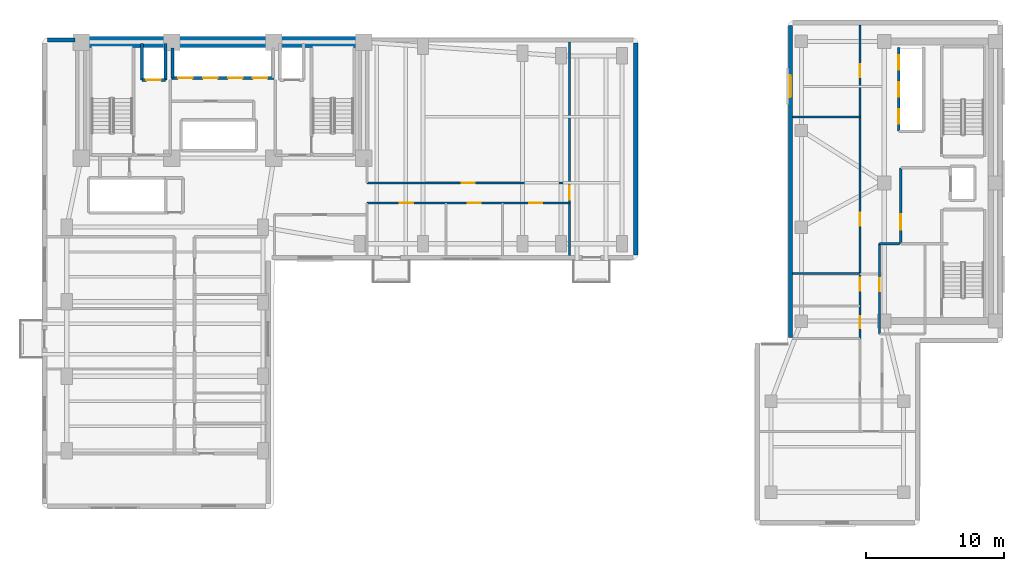
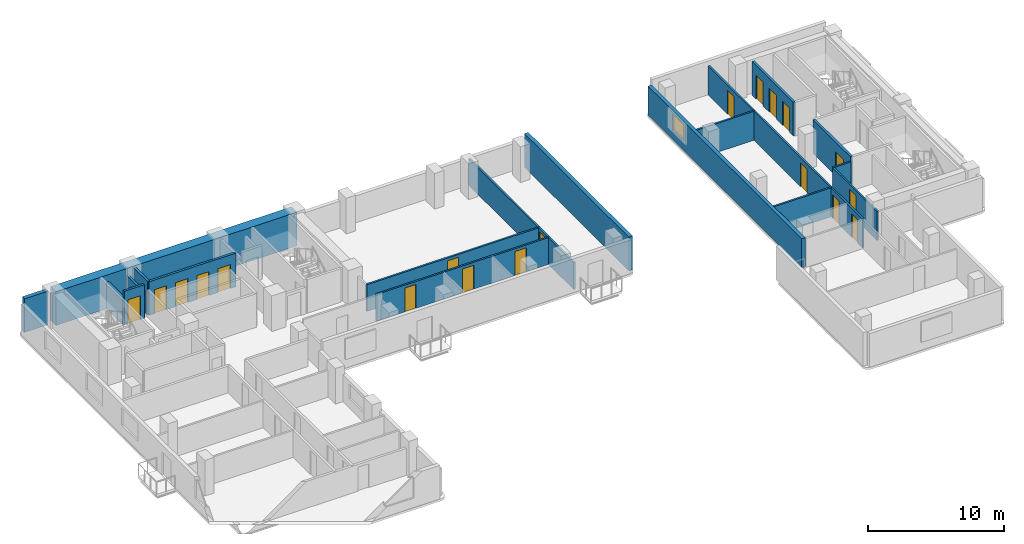
# One storey, part 10 of 14: 19 doors, 19 walls, 1 window, 20 openings.
"""IFC4 building model written with IfcOpenShell, lengths in metres."""

from ifc_helpers import new_model, si_unit, direction, frame, frame_2d, origin, place, context, subcontext, project, spatial, rectangle, extrude, material, layer, layer_set, type_object, element, fill, save


model = new_model("IFC4")

# Units and contexts
model_context = context("Model", 3, precision=1e-05, world=origin(), true_north=direction((0.0, 1.0)))
body_context = subcontext(model_context, "Body", "Model", "MODEL_VIEW")
ifc_project = project(units=[si_unit("LENGTHUNIT", "METRE"), si_unit("AREAUNIT", "SQUARE_METRE"), si_unit("VOLUMEUNIT", "CUBIC_METRE"), si_unit("PLANEANGLEUNIT", "RADIAN"), si_unit("MASSUNIT", "GRAM", prefix="KILO")], contexts=[model_context])

# Site, building, storey
site_placement = place(None, origin())
site = spatial("IfcSite", under=ifc_project, at=site_placement, CompositionType="ELEMENT")
building_placement = place(site_placement, origin())
building = spatial("IfcBuilding", under=site, at=building_placement, Name="Kuzgunbayir Cultural Tower", CompositionType="ELEMENT")
storey_placement = place(building_placement, frame((0.0, 0.0, 69.199951171875)))
storey = spatial("IfcBuildingStorey", under=building, at=storey_placement, Name="L19", CompositionType="ELEMENT", Elevation=69.199951171875)

# Wall
ifc_material_1 = material(Name="Concrete C60/75", Category="concrete")
ifc_layer_1 = layer(ifc_material_1, 0.800048828125)
ifc_layer_set_1 = layer_set([ifc_layer_1], Name="Concrete C60/75")
wall_type_1 = type_object("IfcWallType", Name="WAL-CORE-800", PredefinedType="SHEAR", material=ifc_layer_set_1)
wall_1_placement = place(storey_placement, frame((6.449951171875, 42.199951171875, 0.0), z_axis=(0.0, 0.0, 1.0), x_axis=(1.0, 0.0, 0.0)))
element("IfcWall", 1, at=wall_1_placement, inside=storey, type_object=wall_type_1, Name="L19 T1 Core North Shear Wall", PredefinedType="SHEAR", context=body_context, shape_type="SweptSolid", body=[
    extrude(rectangle(XDim=20.449951171875, YDim=0.800048828125, at=frame_2d((10.22509765625, 0.0))), origin(), (0.0, 0.0, 1.0), 3.02001953125),
])

# Wall, opening, window
ifc_material_2 = material(Name="Anatolian Cream Limestone", Category="masonry")
ifc_layer_2 = layer(ifc_material_2, 0.300048828125)
ifc_layer_set_2 = layer_set([ifc_layer_2], Name="Anatolian Cream Limestone")
wall_type_2 = type_object("IfcWallType", Name="WAL-EXT-STONE-300", PredefinedType="STANDARD", material=ifc_layer_set_2)
wall_2_placement = place(storey_placement, frame((57.800048828125, 43.39990234375, 0.0), z_axis=(0.0, 0.0, 1.0), x_axis=(0.0, -1.0, 0.0)))
wall_2 = element("IfcWall", 2, at=wall_2_placement, inside=storey, type_object=wall_type_2, Name="L19 Companion West Limestone Wall", PredefinedType="STANDARD", context=body_context, shape_type="SweptSolid", body=[
    extrude(rectangle(XDim=22.599853515625, YDim=0.300048828125, at=frame_2d((11.2998046875, 0.0))), origin(), (0.0, 0.0, 1.0), 2.60009765625),
])
opening_1_placement = place(wall_2_placement, frame((3.60009765625, 0.0, 0.85009765625)))
opening_1 = element("IfcOpeningElement", 3, at=opening_1_placement, cuts=wall_2, Name="Opening WC-16", PredefinedType="OPENING", context=body_context, shape_type="SweptSolid", body=[
    extrude(rectangle(XDim=1.60009765625, YDim=1.449951171875, at=frame_2d((0.800048828125, 0.72509765625))), frame((0.0, 0.16015625, 0.0), z_axis=(0.0, -1.0, 0.0), x_axis=(1.0, 0.0, 0.0)), (0.0, 0.0, 1.0), 0.320068359375),
])
ifc_material_3 = material(Name="Solar-Control Triple Glazing", Category="glass")
window_type = type_object("IfcWindowType", Name="WIN-COMP-16", PartitioningType="SINGLE_PANEL", PredefinedType="WINDOW", material=ifc_material_3)
window_placement = place(opening_1_placement, origin())
window = element("IfcWindow", 4, at=window_placement, inside=storey, type_object=window_type, Name="L19 Companion West Window 39", OverallHeight=1.449951171875, OverallWidth=1.60009765625, PartitioningType="SINGLE_PANEL", PredefinedType="WINDOW", context=body_context, shape_type="SweptSolid", body=[
    extrude(rectangle(XDim=1.60009765625, YDim=1.449951171875, at=frame_2d((0.800048828125, 0.72509765625))), frame((0.0, 0.030029296875, 0.0), z_axis=(0.0, -1.0, 0.0), x_axis=(1.0, 0.0, 0.0)), (0.0, 0.0, 1.0), 0.06005859375),
])
fill(opening_1, window)

# Walls
ifc_material_4 = material(Name="Travertine Buff Ashlar", Category="masonry")
ifc_layer_3 = layer(ifc_material_4, 0.320068359375)
ifc_layer_set_3 = layer_set([ifc_layer_3], Name="Travertine Buff Ashlar")
wall_type_3 = type_object("IfcWallType", Name="WAL-EXT-STONE-320", PredefinedType="STANDARD", material=ifc_layer_set_3)
wall_3_placement = place(storey_placement, frame((6.0, 42.35009765625, 0.0), z_axis=(0.0, 0.0, 1.0), x_axis=(-1.0, 0.0, 0.0)))
element("IfcWall", 5, at=wall_3_placement, inside=storey, type_object=wall_type_3, Name="L19 Core North-West Spandrel Link", PredefinedType="STANDARD", context=body_context, shape_type="SweptSolid", body=[
    extrude(rectangle(XDim=2.0, YDim=0.320068359375, at=frame_2d((1.0, 0.0))), origin(), (0.0, 0.0, 1.0), 3.02001953125),
])
wall_4_placement = place(storey_placement, frame((46.60009765625, 26.800048828125, 0.0), z_axis=(0.0, 0.0, 1.0), x_axis=(0.0, 1.0, 0.0)))
element("IfcWall", 6, at=wall_4_placement, inside=storey, type_object=wall_type_3, Name="L19 Wing B East Limestone Wall", PredefinedType="STANDARD", context=body_context, shape_type="SweptSolid", body=[
    extrude(rectangle(XDim=15.349853515625, YDim=0.320068359375, at=frame_2d((7.6748046875, 0.0))), origin(), (0.0, 0.0, 1.0), 3.02001953125),
])

# Wall, openings, doors
ifc_material_5 = material(Name="Acoustic Double-Stud Drywall", Category="gypsum")
ifc_layer_4 = layer(ifc_material_5, 0.14990234375)
ifc_layer_set_4 = layer_set([ifc_layer_4], Name="Acoustic Double-Stud Drywall")
wall_type_4 = type_object("IfcWallType", Name="WAL-PART-ACOUSTIC-150", PredefinedType="PARTITIONING", material=ifc_layer_set_4)
wall_5_placement = place(storey_placement, frame((27.14990234375, 30.550048828125, 0.0), z_axis=(0.0, 0.0, 1.0), x_axis=(1.0, 0.0, 0.0)))
wall_5 = element("IfcWall", 7, at=wall_5_placement, inside=storey, type_object=wall_type_4, Name="L19 Wing B Corridor South Wall", PredefinedType="PARTITIONING", context=body_context, shape_type="SweptSolid", body=[
    extrude(rectangle(XDim=14.650146484375, YDim=0.14990234375, at=frame_2d((7.3251953125, 0.0))), origin(), (0.0, 0.0, 1.0), 2.41015625),
])
opening_2_placement = place(wall_5_placement, frame((2.3798828125, 0.0, 0.0)))
opening_2 = element("IfcOpeningElement", 8, at=opening_2_placement, cuts=wall_5, Name="Opening DI-90", PredefinedType="OPENING", context=body_context, shape_type="SweptSolid", body=[
    extrude(rectangle(XDim=0.949951171875, YDim=2.14990234375, at=frame_2d((0.47509765625, 1.074951171875))), frame((0.0, 0.0849609375, 0.0), z_axis=(0.0, -1.0, 0.0), x_axis=(1.0, 0.0, 0.0)), (0.0, 0.0, 1.0), 0.169921875),
])
opening_3_placement = place(wall_5_placement, frame((7.2900390625, 0.0, 0.0)))
opening_3 = element("IfcOpeningElement", 9, at=opening_3_placement, cuts=wall_5, Name="Opening DI-90", PredefinedType="OPENING", context=body_context, shape_type="SweptSolid", body=[
    extrude(rectangle(XDim=0.949951171875, YDim=2.14990234375, at=frame_2d((0.47509765625, 1.074951171875))), frame((0.0, 0.0849609375, 0.0), z_axis=(0.0, -1.0, 0.0), x_axis=(1.0, 0.0, 0.0)), (0.0, 0.0, 1.0), 0.169921875),
])
opening_4_placement = place(wall_5_placement, frame((11.75, 0.0, 0.0)))
opening_4 = element("IfcOpeningElement", 10, at=opening_4_placement, cuts=wall_5, Name="Opening DI-90", PredefinedType="OPENING", context=body_context, shape_type="SweptSolid", body=[
    extrude(rectangle(XDim=0.949951171875, YDim=2.14990234375, at=frame_2d((0.47509765625, 1.074951171875))), frame((0.0, 0.0849609375, 0.0), z_axis=(0.0, -1.0, 0.0), x_axis=(1.0, 0.0, 0.0)), (0.0, 0.0, 1.0), 0.169921875),
])
ifc_material_6 = material(Name="Veneered Oak Single Leaf", Category="wood")
door_type_1 = type_object("IfcDoorType", Name="DR-INT-90", OperationType="NOTDEFINED", PredefinedType="DOOR", material=ifc_material_6)
door_1_placement = place(opening_2_placement, origin())
door_1 = element("IfcDoor", 11, at=door_1_placement, inside=storey, type_object=door_type_1, Name="L19 Wing B Seminar Boardroom 1 Door", OperationType="SINGLE_SWING_LEFT", OverallHeight=2.14990234375, OverallWidth=0.949951171875, PredefinedType="DOOR", context=body_context, shape_type="SweptSolid", body=[
    extrude(rectangle(XDim=0.949951171875, YDim=2.14990234375, at=frame_2d((0.47509765625, 1.074951171875))), frame((0.0, 0.02490234375, 0.0), z_axis=(0.0, -1.0, 0.0), x_axis=(1.0, 0.0, 0.0)), (0.0, 0.0, 1.0), 0.050048828125),
])
fill(opening_2, door_1)
door_2_placement = place(opening_3_placement, origin())
door_2 = element("IfcDoor", 12, at=door_2_placement, inside=storey, type_object=door_type_1, Name="L19 Wing B Curatorial Office 2 Door", OperationType="SINGLE_SWING_RIGHT", OverallHeight=2.14990234375, OverallWidth=0.949951171875, PredefinedType="DOOR", context=body_context, shape_type="SweptSolid", body=[
    extrude(rectangle(XDim=0.949951171875, YDim=2.14990234375, at=frame_2d((0.47509765625, 1.074951171875))), frame((0.0, 0.02490234375, 0.0), z_axis=(0.0, -1.0, 0.0), x_axis=(1.0, 0.0, 0.0)), (0.0, 0.0, 1.0), 0.050048828125),
])
fill(opening_3, door_2)
door_3_placement = place(opening_4_placement, origin())
door_3 = element("IfcDoor", 13, at=door_3_placement, inside=storey, type_object=door_type_1, Name="L19 Wing B Seminar Boardroom 3 Door", OperationType="SINGLE_SWING_LEFT", OverallHeight=2.14990234375, OverallWidth=0.949951171875, PredefinedType="DOOR", context=body_context, shape_type="SweptSolid", body=[
    extrude(rectangle(XDim=0.949951171875, YDim=2.14990234375, at=frame_2d((0.47509765625, 1.074951171875))), frame((0.0, 0.02490234375, 0.0), z_axis=(0.0, -1.0, 0.0), x_axis=(1.0, 0.0, 0.0)), (0.0, 0.0, 1.0), 0.050048828125),
])
fill(opening_4, door_3)

# Wall, opening, door
wall_6_placement = place(storey_placement, frame((27.14990234375, 32.0, 0.0), z_axis=(0.0, 0.0, 1.0), x_axis=(1.0, 0.0, 0.0)))
wall_6 = element("IfcWall", 14, at=wall_6_placement, inside=storey, type_object=wall_type_4, Name="L19 Wing B Corridor North Wall", PredefinedType="PARTITIONING", context=body_context, shape_type="SweptSolid", body=[
    extrude(rectangle(XDim=14.650146484375, YDim=0.14990234375, at=frame_2d((7.3251953125, 0.0))), origin(), (0.0, 0.0, 1.0), 2.41015625),
])
opening_5_placement = place(wall_6_placement, frame((6.840087890625, 0.0, 0.0)))
opening_5 = element("IfcOpeningElement", 15, at=opening_5_placement, cuts=wall_6, Name="Opening DI-90", PredefinedType="OPENING", context=body_context, shape_type="SweptSolid", body=[
    extrude(rectangle(XDim=0.949951171875, YDim=2.14990234375, at=frame_2d((0.47509765625, 1.074951171875))), frame((0.0, 0.0849609375, 0.0), z_axis=(0.0, -1.0, 0.0), x_axis=(1.0, 0.0, 0.0)), (0.0, 0.0, 1.0), 0.169921875),
])
door_4_placement = place(opening_5_placement, origin())
door_4 = element("IfcDoor", 16, at=door_4_placement, inside=storey, type_object=door_type_1, Name="L19 Wing B North Seminar Boardroom 1 Door", OperationType="SINGLE_SWING_RIGHT", OverallHeight=2.14990234375, OverallWidth=0.949951171875, PredefinedType="DOOR", context=body_context, shape_type="SweptSolid", body=[
    extrude(rectangle(XDim=0.949951171875, YDim=2.14990234375, at=frame_2d((0.47509765625, 1.074951171875))), frame((0.0, 0.02490234375, 0.0), z_axis=(0.0, -1.0, 0.0), x_axis=(1.0, 0.0, 0.0)), (0.0, 0.0, 1.0), 0.050048828125),
])
fill(opening_5, door_4)

wall_7_placement = place(storey_placement, frame((41.800048828125, 26.75, 0.0), z_axis=(0.0, 0.0, 1.0), x_axis=(0.0, 1.0, 0.0)))
wall_7 = element("IfcWall", 17, at=wall_7_placement, inside=storey, type_object=wall_type_4, Name="L19 Wing B East Suite Wall", PredefinedType="PARTITIONING", context=body_context, shape_type="SweptSolid", body=[
    extrude(rectangle(XDim=15.449951171875, YDim=0.14990234375, at=frame_2d((7.72509765625, 0.0))), origin(), (0.0, 0.0, 1.0), 2.41015625),
])
opening_6_placement = place(wall_7_placement, frame((4.030029296875, 0.0, 0.0)))
opening_6 = element("IfcOpeningElement", 18, at=opening_6_placement, cuts=wall_7, Name="Opening DI-100", PredefinedType="OPENING", context=body_context, shape_type="SweptSolid", body=[
    extrude(rectangle(XDim=1.0, YDim=2.14990234375, at=frame_2d((0.5, 1.074951171875))), frame((0.0, 0.0849609375, 0.0), z_axis=(0.0, -1.0, 0.0), x_axis=(1.0, 0.0, 0.0)), (0.0, 0.0, 1.0), 0.169921875),
])
door_type_2 = type_object("IfcDoorType", Name="DR-INT-100", OperationType="NOTDEFINED", PredefinedType="DOOR", material=ifc_material_6)
door_5_placement = place(opening_6_placement, origin())
door_5 = element("IfcDoor", 19, at=door_5_placement, inside=storey, type_object=door_type_2, Name="L19 East Conference Hall Door", OperationType="SINGLE_SWING_RIGHT", OverallHeight=2.14990234375, OverallWidth=1.0, PredefinedType="DOOR", context=body_context, shape_type="SweptSolid", body=[
    extrude(rectangle(XDim=1.0, YDim=2.14990234375, at=frame_2d((0.5, 1.074951171875))), frame((0.0, 0.02490234375, 0.0), z_axis=(0.0, -1.0, 0.0), x_axis=(1.0, 0.0, 0.0)), (0.0, 0.0, 1.0), 0.050048828125),
])
fill(opening_6, door_5)

wall_8_placement = place(storey_placement, frame((64.25, 21.050048828125, 0.0), z_axis=(0.0, 0.0, 1.0), x_axis=(0.0, 1.0, 0.0)))
wall_8 = element("IfcWall", 20, at=wall_8_placement, inside=storey, type_object=wall_type_4, Name="L19 Companion Archive West Wall", PredefinedType="PARTITIONING", context=body_context, shape_type="SweptSolid", body=[
    extrude(rectangle(XDim=6.550048828125, YDim=0.14990234375, at=frame_2d((3.27490234375, 0.0))), origin(), (0.0, 0.0, 1.0), 2.60009765625),
])
opening_7_placement = place(wall_8_placement, frame((3.10009765625, 0.0, 0.0)))
opening_7 = element("IfcOpeningElement", 21, at=opening_7_placement, cuts=wall_8, Name="Opening DI-90", PredefinedType="OPENING", context=body_context, shape_type="SweptSolid", body=[
    extrude(rectangle(XDim=0.949951171875, YDim=2.14990234375, at=frame_2d((0.47509765625, 1.074951171875))), frame((0.0, 0.0849609375, 0.0), z_axis=(0.0, -1.0, 0.0), x_axis=(1.0, 0.0, 0.0)), (0.0, 0.0, 1.0), 0.169921875),
])
door_6_placement = place(opening_7_placement, origin())
door_6 = element("IfcDoor", 22, at=door_6_placement, inside=storey, type_object=door_type_1, Name="L19 Companion Archive Door", OperationType="SINGLE_SWING_LEFT", OverallHeight=2.14990234375, OverallWidth=0.949951171875, PredefinedType="DOOR", context=body_context, shape_type="SweptSolid", body=[
    extrude(rectangle(XDim=0.949951171875, YDim=2.14990234375, at=frame_2d((0.47509765625, 1.074951171875))), frame((0.0, 0.02490234375, 0.0), z_axis=(0.0, -1.0, 0.0), x_axis=(1.0, 0.0, 0.0)), (0.0, 0.0, 1.0), 0.050048828125),
])
fill(opening_7, door_6)

# Wall
wall_9_placement = place(storey_placement, frame((64.25, 27.60009765625, 0.0), z_axis=(0.0, 0.0, 1.0), x_axis=(1.0, 0.0, 0.0)))
element("IfcWall", 23, at=wall_9_placement, inside=storey, type_object=wall_type_4, Name="L19 Companion Archive North Wall", PredefinedType="PARTITIONING", context=body_context, shape_type="SweptSolid", body=[
    extrude(rectangle(XDim=1.469970703125, YDim=0.14990234375, at=frame_2d((0.73486328125, 0.0))), origin(), (0.0, 0.0, 1.0), 2.60009765625),
])

# Wall, openings, doors
wall_10_placement = place(storey_placement, frame((62.85009765625, 20.75, 0.0), z_axis=(0.0, 0.0, 1.0), x_axis=(0.0, 1.0, 0.0)))
wall_10 = element("IfcWall", 24, at=wall_10_placement, inside=storey, type_object=wall_type_4, Name="L19 Companion Corridor West Wall", PredefinedType="PARTITIONING", context=body_context, shape_type="SweptSolid", body=[
    extrude(rectangle(XDim=22.699951171875, YDim=0.14990234375, at=frame_2d((11.35009765625, 0.0))), origin(), (0.0, 0.0, 1.0), 2.60009765625),
])
opening_8_placement = place(wall_10_placement, frame((0.72998046875, 0.0, 0.0)))
opening_8 = element("IfcOpeningElement", 25, at=opening_8_placement, cuts=wall_10, Name="Opening DW-85", PredefinedType="OPENING", context=body_context, shape_type="SweptSolid", body=[
    extrude(rectangle(XDim=0.85009765625, YDim=2.10009765625, at=frame_2d((0.425048828125, 1.050048828125))), frame((0.0, 0.0849609375, 0.0), z_axis=(0.0, -1.0, 0.0), x_axis=(1.0, 0.0, 0.0)), (0.0, 0.0, 1.0), 0.169921875),
])
opening_9_placement = place(wall_10_placement, frame((3.429931640625, 0.0, 0.0)))
opening_9 = element("IfcOpeningElement", 26, at=opening_9_placement, cuts=wall_10, Name="Opening DW-95", PredefinedType="OPENING", context=body_context, shape_type="SweptSolid", body=[
    extrude(rectangle(XDim=0.949951171875, YDim=2.10009765625, at=frame_2d((0.47509765625, 1.050048828125))), frame((0.0, 0.0849609375, 0.0), z_axis=(0.0, -1.0, 0.0), x_axis=(1.0, 0.0, 0.0)), (0.0, 0.0, 1.0), 0.169921875),
])
opening_10_placement = place(wall_10_placement, frame((8.14990234375, 0.0, 0.0)))
opening_10 = element("IfcOpeningElement", 27, at=opening_10_placement, cuts=wall_10, Name="Opening DI-90", PredefinedType="OPENING", context=body_context, shape_type="SweptSolid", body=[
    extrude(rectangle(XDim=0.949951171875, YDim=2.14990234375, at=frame_2d((0.47509765625, 1.074951171875))), frame((0.0, 0.0849609375, 0.0), z_axis=(0.0, -1.0, 0.0), x_axis=(1.0, 0.0, 0.0)), (0.0, 0.0, 1.0), 0.169921875),
])
opening_11_placement = place(wall_10_placement, frame((18.889892578125, 0.0, 0.0)))
opening_11 = element("IfcOpeningElement", 28, at=opening_11_placement, cuts=wall_10, Name="Opening DI-90", PredefinedType="OPENING", context=body_context, shape_type="SweptSolid", body=[
    extrude(rectangle(XDim=0.949951171875, YDim=2.14990234375, at=frame_2d((0.47509765625, 1.074951171875))), frame((0.0, 0.0849609375, 0.0), z_axis=(0.0, -1.0, 0.0), x_axis=(1.0, 0.0, 0.0)), (0.0, 0.0, 1.0), 0.169921875),
])
door_7_placement = place(opening_10_placement, origin())
door_7 = element("IfcDoor", 29, at=door_7_placement, inside=storey, type_object=door_type_1, Name="L19 Companion Seminar Boardroom 1 Door", OperationType="SINGLE_SWING_RIGHT", OverallHeight=2.14990234375, OverallWidth=0.949951171875, PredefinedType="DOOR", context=body_context, shape_type="SweptSolid", body=[
    extrude(rectangle(XDim=0.949951171875, YDim=2.14990234375, at=frame_2d((0.47509765625, 1.074951171875))), frame((0.0, 0.02490234375, 0.0), z_axis=(0.0, -1.0, 0.0), x_axis=(1.0, 0.0, 0.0)), (0.0, 0.0, 1.0), 0.050048828125),
])
fill(opening_10, door_7)
door_8_placement = place(opening_11_placement, origin())
door_8 = element("IfcDoor", 30, at=door_8_placement, inside=storey, type_object=door_type_1, Name="L19 Companion Culinary Tasting Pantry 2 Door", OperationType="SINGLE_SWING_LEFT", OverallHeight=2.14990234375, OverallWidth=0.949951171875, PredefinedType="DOOR", context=body_context, shape_type="SweptSolid", body=[
    extrude(rectangle(XDim=0.949951171875, YDim=2.14990234375, at=frame_2d((0.47509765625, 1.074951171875))), frame((0.0, 0.02490234375, 0.0), z_axis=(0.0, -1.0, 0.0), x_axis=(1.0, 0.0, 0.0)), (0.0, 0.0, 1.0), 0.050048828125),
])
fill(opening_11, door_8)
ifc_material_7 = material(Name="Laminate Moisture-Resistant Leaf", Category="wood")
door_type_3 = type_object("IfcDoorType", Name="DR-WET-85", OperationType="NOTDEFINED", PredefinedType="DOOR", material=ifc_material_7)
door_9_placement = place(opening_8_placement, origin())
door_9 = element("IfcDoor", 31, at=door_9_placement, inside=storey, type_object=door_type_3, Name="L19 Companion WC Door", OperationType="SINGLE_SWING_RIGHT", OverallHeight=2.10009765625, OverallWidth=0.85009765625, PredefinedType="DOOR", context=body_context, shape_type="SweptSolid", body=[
    extrude(rectangle(XDim=0.85009765625, YDim=2.10009765625, at=frame_2d((0.425048828125, 1.050048828125))), frame((0.0, 0.02490234375, 0.0), z_axis=(0.0, -1.0, 0.0), x_axis=(1.0, 0.0, 0.0)), (0.0, 0.0, 1.0), 0.050048828125),
])
fill(opening_8, door_9)
door_type_4 = type_object("IfcDoorType", Name="DR-WET-95", OperationType="NOTDEFINED", PredefinedType="DOOR", material=ifc_material_7)
door_10_placement = place(opening_9_placement, origin())
door_10 = element("IfcDoor", 32, at=door_10_placement, inside=storey, type_object=door_type_4, Name="L19 Companion Accessible WC Door", OperationType="SINGLE_SWING_LEFT", OverallHeight=2.10009765625, OverallWidth=0.949951171875, PredefinedType="DOOR", context=body_context, shape_type="SweptSolid", body=[
    extrude(rectangle(XDim=0.949951171875, YDim=2.10009765625, at=frame_2d((0.47509765625, 1.050048828125))), frame((0.0, 0.02490234375, 0.0), z_axis=(0.0, -1.0, 0.0), x_axis=(1.0, 0.0, 0.0)), (0.0, 0.0, 1.0), 0.050048828125),
])
fill(opening_9, door_10)

# Wall
wall_11_placement = place(storey_placement, frame((57.949951171875, 36.7900390625, 0.0), z_axis=(0.0, 0.0, 1.0), x_axis=(1.0, 0.0, 0.0)))
element("IfcWall", 33, at=wall_11_placement, inside=storey, type_object=wall_type_4, Name="L19 Companion Studio Partition 1", PredefinedType="PARTITIONING", context=body_context, shape_type="SweptSolid", body=[
    extrude(rectangle(XDim=4.900146484375, YDim=0.14990234375, at=frame_2d((2.4501953125, 0.0))), origin(), (0.0, 0.0, 1.0), 2.60009765625),
])

# Wall, opening, door
ifc_material_8 = material(Name="Aerated Concrete Blockwork", Category="masonry")
ifc_layer_5 = layer(ifc_material_8, 0.199951171875)
ifc_layer_set_5 = layer_set([ifc_layer_5], Name="Aerated Concrete Blockwork")
wall_type_5 = type_object("IfcWallType", Name="WAL-PART-FIRE-200", PredefinedType="PARTITIONING", material=ifc_layer_set_5)
wall_12_placement = place(storey_placement, frame((65.800048828125, 27.60009765625, 0.0), z_axis=(0.0, 0.0, 1.0), x_axis=(0.0, 1.0, 0.0)))
wall_12 = element("IfcWall", 34, at=wall_12_placement, inside=storey, type_object=wall_type_5, Name="L19 FFL-3 Lobby West Fire Wall", PredefinedType="PARTITIONING", context=body_context, shape_type="SweptSolid", body=[
    extrude(rectangle(XDim=5.5, YDim=0.199951171875, at=frame_2d((2.75, 0.0))), origin(), (0.0, 0.0, 1.0), 3.02001953125),
])
opening_12_placement = place(wall_12_placement, frame((1.0, 0.0, 0.0)))
opening_12 = element("IfcOpeningElement", 35, at=opening_12_placement, cuts=wall_12, Name="Opening DR-FFL-90", PredefinedType="OPENING", context=body_context, shape_type="SweptSolid", body=[
    extrude(rectangle(XDim=1.14990234375, YDim=2.14990234375, at=frame_2d((0.574951171875, 1.074951171875))), frame((0.0, 0.10986328125, 0.0), z_axis=(0.0, -1.0, 0.0), x_axis=(1.0, 0.0, 0.0)), (0.0, 0.0, 1.0), 0.219970703125),
])
ifc_material_9 = material(Name="Steel S355J2", Category="steel")
door_type_5 = type_object("IfcDoorType", Name="DR-FFL-90", OperationType="NOTDEFINED", PredefinedType="DOOR", material=ifc_material_9)
door_11_placement = place(opening_12_placement, origin())
door_11 = element("IfcDoor", 36, at=door_11_placement, inside=storey, type_object=door_type_5, Name="L19 Firefighting Lobby 3 Door", OperationType="SINGLE_SWING_RIGHT", OverallHeight=2.14990234375, OverallWidth=1.14990234375, PredefinedType="DOOR", context=body_context, shape_type="SweptSolid", body=[
    extrude(rectangle(XDim=1.14990234375, YDim=2.14990234375, at=frame_2d((0.574951171875, 1.074951171875))), frame((0.0, 0.02490234375, 0.0), z_axis=(0.0, -1.0, 0.0), x_axis=(1.0, 0.0, 0.0)), (0.0, 0.0, 1.0), 0.050048828125),
])
fill(opening_12, door_11)

# Wall
ifc_material_10 = material(Name="Moisture-Resistant Tile Partition", Category="gypsum")
ifc_layer_6 = layer(ifc_material_10, 0.14990234375)
ifc_layer_set_6 = layer_set([ifc_layer_6], Name="Moisture-Resistant Tile Partition")
wall_type_6 = type_object("IfcWallType", Name="WAL-PART-WET-150", PredefinedType="PARTITIONING", material=ifc_layer_set_6)
wall_13_placement = place(storey_placement, frame((57.949951171875, 25.449951171875, 0.0), z_axis=(0.0, 0.0, 1.0), x_axis=(1.0, 0.0, 0.0)))
element("IfcWall", 37, at=wall_13_placement, inside=storey, type_object=wall_type_6, Name="L19 Companion Accessible WC Wall", PredefinedType="PARTITIONING", context=body_context, shape_type="SweptSolid", body=[
    extrude(rectangle(XDim=4.900146484375, YDim=0.14990234375, at=frame_2d((2.4501953125, 0.0))), origin(), (0.0, 0.0, 1.0), 2.60009765625),
])

# Wall, opening, door
ifc_material_11 = material(Name="Concrete C40/50", Category="concrete")
ifc_layer_7 = layer(ifc_material_11, 0.199951171875)
ifc_layer_set_7 = layer_set([ifc_layer_7], Name="Concrete C40/50")
wall_type_7 = type_object("IfcWallType", Name="WAL-SHAFT-200", PredefinedType="MOVABLE", material=ifc_layer_set_7)
wall_14_placement = place(storey_placement, frame((10.85009765625, 39.449951171875, 0.0), z_axis=(0.0, 0.0, 1.0), x_axis=(1.0, 0.0, 0.0)))
wall_14 = element("IfcWall", 38, at=wall_14_placement, inside=storey, type_object=wall_type_7, Name="L19 FFL-1 Lift Front Wall", PredefinedType="MOVABLE", context=body_context, shape_type="SweptSolid", body=[
    extrude(rectangle(XDim=1.699951171875, YDim=0.199951171875, at=frame_2d((0.85009765625, 0.0))), origin(), (0.0, 0.0, 1.0), 3.02001953125),
])
opening_13_placement = place(wall_14_placement, frame((0.320068359375, 0.0, 0.0)))
opening_13 = element("IfcOpeningElement", 39, at=opening_13_placement, cuts=wall_14, Name="Opening LD", PredefinedType="OPENING", context=body_context, shape_type="SweptSolid", body=[
    extrude(rectangle(XDim=1.050048828125, YDim=2.14990234375, at=frame_2d((0.52490234375, 1.074951171875))), frame((0.0, 0.10986328125, 0.0), z_axis=(0.0, -1.0, 0.0), x_axis=(1.0, 0.0, 0.0)), (0.0, 0.0, 1.0), 0.219970703125),
])
ifc_material_12 = material(Name="Brushed Stainless Steel", Category="steel")
door_type_6 = type_object("IfcDoorType", Name="DR-LIFT-LANDING", OperationType="SLIDING_TO_LEFT", PredefinedType="DOOR", material=ifc_material_12)
door_12_placement = place(opening_13_placement, origin())
door_12 = element("IfcDoor", 40, at=door_12_placement, inside=storey, type_object=door_type_6, Name="L19 Lift FFL-1 Landing Door", OperationType="SLIDING_TO_LEFT", OverallHeight=2.14990234375, OverallWidth=1.050048828125, PredefinedType="DOOR", context=body_context, shape_type="SweptSolid", body=[
    extrude(rectangle(XDim=1.050048828125, YDim=2.14990234375, at=frame_2d((0.52490234375, 1.074951171875))), frame((0.0, 0.02490234375, 0.0), z_axis=(0.0, -1.0, 0.0), x_axis=(1.0, 0.0, 0.0)), (0.0, 0.0, 1.0), 0.050048828125),
])
fill(opening_13, door_12)

# Walls
for number, where, z_axis, x_axis, name in (
    (41, (10.85009765625, 39.449951171875, 0.0), (0.0, 0.0, 1.0), (0.0, 1.0, 0.0), "L19 FFL-1 Shaft West Wall"),
    (42, (12.550048828125, 39.449951171875, 0.0), (0.0, 0.0, 1.0), (0.0, 1.0, 0.0), "L19 FFL-1 Shaft East Wall"),
):
    element("IfcWall", number, at=place(storey_placement, frame(where, z_axis=z_axis, x_axis=x_axis)), inside=storey, type_object=wall_type_7, Name=name, PredefinedType="MOVABLE", context=body_context, shape_type="SweptSolid", body=[
        extrude(rectangle(XDim=2.650146484375, YDim=0.199951171875, at=frame_2d((1.3251953125, 0.0))), origin(), (0.0, 0.0, 1.0), 2.41015625),
    ])

# Wall, openings, doors
wall_15_placement = place(storey_placement, frame((13.0, 39.60009765625, 0.0), z_axis=(0.0, 0.0, 1.0), x_axis=(1.0, 0.0, 0.0)))
wall_15 = element("IfcWall", 43, at=wall_15_placement, inside=storey, type_object=wall_type_7, Name="L19 Low-Rise Lift Front Wall", PredefinedType="MOVABLE", context=body_context, shape_type="SweptSolid", body=[
    extrude(rectangle(XDim=7.39990234375, YDim=0.199951171875, at=frame_2d((3.699951171875, 0.0))), origin(), (0.0, 0.0, 1.0), 3.02001953125),
])
opening_14_placement = place(wall_15_placement, frame((0.469970703125, 0.0, 0.0)))
opening_14 = element("IfcOpeningElement", 44, at=opening_14_placement, cuts=wall_15, Name="Opening LD", PredefinedType="OPENING", context=body_context, shape_type="SweptSolid", body=[
    extrude(rectangle(XDim=1.050048828125, YDim=2.14990234375, at=frame_2d((0.52490234375, 1.074951171875))), frame((0.0, 0.10986328125, 0.0), z_axis=(0.0, -1.0, 0.0), x_axis=(1.0, 0.0, 0.0)), (0.0, 0.0, 1.0), 0.219970703125),
])
opening_15_placement = place(wall_15_placement, frame((2.280029296875, 0.0, 0.0)))
opening_15 = element("IfcOpeningElement", 45, at=opening_15_placement, cuts=wall_15, Name="Opening LD", PredefinedType="OPENING", context=body_context, shape_type="SweptSolid", body=[
    extrude(rectangle(XDim=1.050048828125, YDim=2.14990234375, at=frame_2d((0.52490234375, 1.074951171875))), frame((0.0, 0.10986328125, 0.0), z_axis=(0.0, -1.0, 0.0), x_axis=(1.0, 0.0, 0.0)), (0.0, 0.0, 1.0), 0.219970703125),
])
opening_16_placement = place(wall_15_placement, frame((4.080078125, 0.0, 0.0)))
opening_16 = element("IfcOpeningElement", 46, at=opening_16_placement, cuts=wall_15, Name="Opening LD", PredefinedType="OPENING", context=body_context, shape_type="SweptSolid", body=[
    extrude(rectangle(XDim=1.050048828125, YDim=2.14990234375, at=frame_2d((0.52490234375, 1.074951171875))), frame((0.0, 0.10986328125, 0.0), z_axis=(0.0, -1.0, 0.0), x_axis=(1.0, 0.0, 0.0)), (0.0, 0.0, 1.0), 0.219970703125),
])
opening_17_placement = place(wall_15_placement, frame((5.8798828125, 0.0, 0.0)))
opening_17 = element("IfcOpeningElement", 47, at=opening_17_placement, cuts=wall_15, Name="Opening LD", PredefinedType="OPENING", context=body_context, shape_type="SweptSolid", body=[
    extrude(rectangle(XDim=1.050048828125, YDim=2.14990234375, at=frame_2d((0.52490234375, 1.074951171875))), frame((0.0, 0.10986328125, 0.0), z_axis=(0.0, -1.0, 0.0), x_axis=(1.0, 0.0, 0.0)), (0.0, 0.0, 1.0), 0.219970703125),
])
door_13_placement = place(opening_14_placement, origin())
door_13 = element("IfcDoor", 48, at=door_13_placement, inside=storey, type_object=door_type_6, Name="L19 Lift PL-1 Landing Door", OperationType="SLIDING_TO_LEFT", OverallHeight=2.14990234375, OverallWidth=1.050048828125, PredefinedType="DOOR", context=body_context, shape_type="SweptSolid", body=[
    extrude(rectangle(XDim=1.050048828125, YDim=2.14990234375, at=frame_2d((0.52490234375, 1.074951171875))), frame((0.0, 0.02490234375, 0.0), z_axis=(0.0, -1.0, 0.0), x_axis=(1.0, 0.0, 0.0)), (0.0, 0.0, 1.0), 0.050048828125),
])
fill(opening_14, door_13)
door_14_placement = place(opening_15_placement, origin())
door_14 = element("IfcDoor", 49, at=door_14_placement, inside=storey, type_object=door_type_6, Name="L19 Lift PL-2 Landing Door", OperationType="SLIDING_TO_LEFT", OverallHeight=2.14990234375, OverallWidth=1.050048828125, PredefinedType="DOOR", context=body_context, shape_type="SweptSolid", body=[
    extrude(rectangle(XDim=1.050048828125, YDim=2.14990234375, at=frame_2d((0.52490234375, 1.074951171875))), frame((0.0, 0.02490234375, 0.0), z_axis=(0.0, -1.0, 0.0), x_axis=(1.0, 0.0, 0.0)), (0.0, 0.0, 1.0), 0.050048828125),
])
fill(opening_15, door_14)
door_15_placement = place(opening_16_placement, origin())
door_15 = element("IfcDoor", 50, at=door_15_placement, inside=storey, type_object=door_type_6, Name="L19 Lift PL-3 Landing Door", OperationType="SLIDING_TO_LEFT", OverallHeight=2.14990234375, OverallWidth=1.050048828125, PredefinedType="DOOR", context=body_context, shape_type="SweptSolid", body=[
    extrude(rectangle(XDim=1.050048828125, YDim=2.14990234375, at=frame_2d((0.52490234375, 1.074951171875))), frame((0.0, 0.02490234375, 0.0), z_axis=(0.0, -1.0, 0.0), x_axis=(1.0, 0.0, 0.0)), (0.0, 0.0, 1.0), 0.050048828125),
])
fill(opening_16, door_15)
door_16_placement = place(opening_17_placement, origin())
door_16 = element("IfcDoor", 51, at=door_16_placement, inside=storey, type_object=door_type_6, Name="L19 Lift PL-4 Landing Door", OperationType="SLIDING_TO_LEFT", OverallHeight=2.14990234375, OverallWidth=1.050048828125, PredefinedType="DOOR", context=body_context, shape_type="SweptSolid", body=[
    extrude(rectangle(XDim=1.050048828125, YDim=2.14990234375, at=frame_2d((0.52490234375, 1.074951171875))), frame((0.0, 0.02490234375, 0.0), z_axis=(0.0, -1.0, 0.0), x_axis=(1.0, 0.0, 0.0)), (0.0, 0.0, 1.0), 0.050048828125),
])
fill(opening_17, door_16)

# Wall
wall_16_placement = place(storey_placement, frame((13.050048828125, 39.60009765625, 0.0), z_axis=(0.0, 0.0, 1.0), x_axis=(0.0, 1.0, 0.0)))
element("IfcWall", 52, at=wall_16_placement, inside=storey, type_object=wall_type_7, Name="L19 Low-Rise Lift Shaft West Wall", PredefinedType="MOVABLE", context=body_context, shape_type="SweptSolid", body=[
    extrude(rectangle(XDim=2.179931640625, YDim=0.199951171875, at=frame_2d((1.08984375, 0.0))), origin(), (0.0, 0.0, 1.0), 3.02001953125),
])

# Wall, openings, doors
wall_17_placement = place(storey_placement, frame((65.64990234375, 35.75, 0.0), z_axis=(0.0, 0.0, 1.0), x_axis=(0.0, 1.0, 0.0)))
wall_17 = element("IfcWall", 53, at=wall_17_placement, inside=storey, type_object=wall_type_7, Name="L19 Companion Lift Front Wall", PredefinedType="MOVABLE", context=body_context, shape_type="SweptSolid", body=[
    extrude(rectangle(XDim=6.050048828125, YDim=0.199951171875, at=frame_2d((3.02490234375, 0.0))), origin(), (0.0, 0.0, 1.0), 3.02001953125),
])
opening_18_placement = place(wall_17_placement, frame((0.52001953125, 0.0, 0.0)))
opening_18 = element("IfcOpeningElement", 54, at=opening_18_placement, cuts=wall_17, Name="Opening LD", PredefinedType="OPENING", context=body_context, shape_type="SweptSolid", body=[
    extrude(rectangle(XDim=1.050048828125, YDim=2.14990234375, at=frame_2d((0.52490234375, 1.074951171875))), frame((0.0, 0.10986328125, 0.0), z_axis=(0.0, -1.0, 0.0), x_axis=(1.0, 0.0, 0.0)), (0.0, 0.0, 1.0), 0.219970703125),
])
opening_19_placement = place(wall_17_placement, frame((2.47998046875, 0.0, 0.0)))
opening_19 = element("IfcOpeningElement", 55, at=opening_19_placement, cuts=wall_17, Name="Opening LD", PredefinedType="OPENING", context=body_context, shape_type="SweptSolid", body=[
    extrude(rectangle(XDim=1.050048828125, YDim=2.14990234375, at=frame_2d((0.52490234375, 1.074951171875))), frame((0.0, 0.10986328125, 0.0), z_axis=(0.0, -1.0, 0.0), x_axis=(1.0, 0.0, 0.0)), (0.0, 0.0, 1.0), 0.219970703125),
])
opening_20_placement = place(wall_17_placement, frame((4.429931640625, 0.0, 0.0)))
opening_20 = element("IfcOpeningElement", 56, at=opening_20_placement, cuts=wall_17, Name="Opening LD", PredefinedType="OPENING", context=body_context, shape_type="SweptSolid", body=[
    extrude(rectangle(XDim=1.050048828125, YDim=2.14990234375, at=frame_2d((0.52490234375, 1.074951171875))), frame((0.0, 0.10986328125, 0.0), z_axis=(0.0, -1.0, 0.0), x_axis=(1.0, 0.0, 0.0)), (0.0, 0.0, 1.0), 0.219970703125),
])
door_17_placement = place(opening_18_placement, origin())
door_17 = element("IfcDoor", 57, at=door_17_placement, inside=storey, type_object=door_type_6, Name="L19 Lift PC-1 Landing Door", OperationType="SLIDING_TO_LEFT", OverallHeight=2.14990234375, OverallWidth=1.050048828125, PredefinedType="DOOR", context=body_context, shape_type="SweptSolid", body=[
    extrude(rectangle(XDim=1.050048828125, YDim=2.14990234375, at=frame_2d((0.52490234375, 1.074951171875))), frame((0.0, 0.02490234375, 0.0), z_axis=(0.0, -1.0, 0.0), x_axis=(1.0, 0.0, 0.0)), (0.0, 0.0, 1.0), 0.050048828125),
])
fill(opening_18, door_17)
door_18_placement = place(opening_19_placement, origin())
door_18 = element("IfcDoor", 58, at=door_18_placement, inside=storey, type_object=door_type_6, Name="L19 Lift PC-2 Landing Door", OperationType="SLIDING_TO_LEFT", OverallHeight=2.14990234375, OverallWidth=1.050048828125, PredefinedType="DOOR", context=body_context, shape_type="SweptSolid", body=[
    extrude(rectangle(XDim=1.050048828125, YDim=2.14990234375, at=frame_2d((0.52490234375, 1.074951171875))), frame((0.0, 0.02490234375, 0.0), z_axis=(0.0, -1.0, 0.0), x_axis=(1.0, 0.0, 0.0)), (0.0, 0.0, 1.0), 0.050048828125),
])
fill(opening_19, door_18)
door_19_placement = place(opening_20_placement, origin())
door_19 = element("IfcDoor", 59, at=door_19_placement, inside=storey, type_object=door_type_6, Name="L19 Lift PC-3 Landing Door", OperationType="SLIDING_TO_LEFT", OverallHeight=2.14990234375, OverallWidth=1.050048828125, PredefinedType="DOOR", context=body_context, shape_type="SweptSolid", body=[
    extrude(rectangle(XDim=1.050048828125, YDim=2.14990234375, at=frame_2d((0.52490234375, 1.074951171875))), frame((0.0, 0.02490234375, 0.0), z_axis=(0.0, -1.0, 0.0), x_axis=(1.0, 0.0, 0.0)), (0.0, 0.0, 1.0), 0.050048828125),
])
fill(opening_20, door_19)

save(model, "model.ifc")
